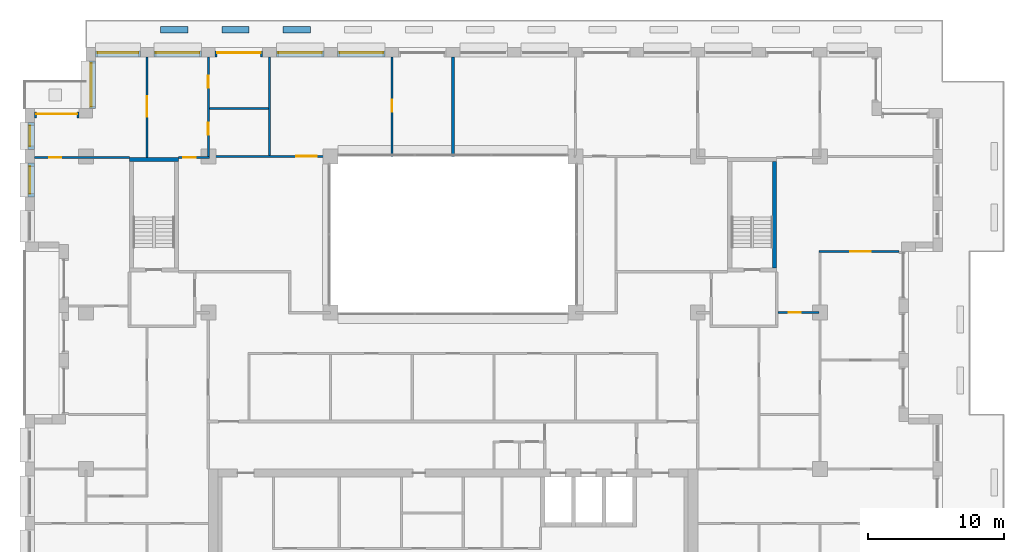
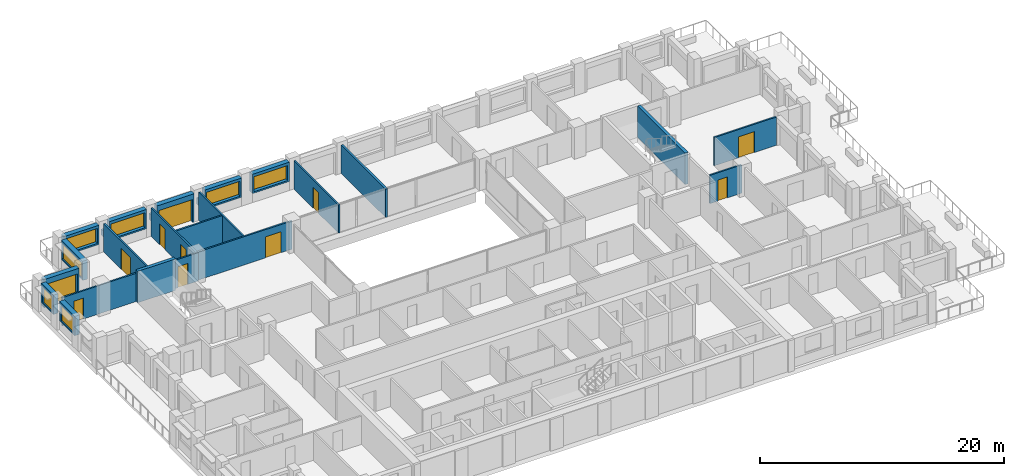
# One storey, part 12 of 17: 25 walls, 11 doors, 7 windows, 18 openings.
"""IFC4 building model written with IfcOpenShell, lengths in metres."""

from ifc_helpers import new_model, si_unit, direction, frame, frame_2d, origin, place, context, subcontext, project, spatial, rectangle, extrude, material, layer, layer_set, type_object, element, fill, save


model = new_model("IFC4")

# Units and contexts
model_context = context("Model", 3, precision=1e-05, world=origin(), true_north=direction((0.0, 1.0)))
body_context = subcontext(model_context, "Body", "Model", "MODEL_VIEW")
ifc_project = project(units=[si_unit("LENGTHUNIT", "METRE"), si_unit("AREAUNIT", "SQUARE_METRE"), si_unit("VOLUMEUNIT", "CUBIC_METRE"), si_unit("PLANEANGLEUNIT", "RADIAN"), si_unit("MASSUNIT", "GRAM", prefix="KILO")], contexts=[model_context])

# Site, building, storey
site_placement = place(None, origin())
site = spatial("IfcSite", under=ifc_project, at=site_placement, CompositionType="ELEMENT")
building_placement = place(site_placement, origin())
building = spatial("IfcBuilding", under=site, at=building_placement, Name="Brigalow Station Residences", CompositionType="ELEMENT")
storey_placement = place(building_placement, frame((0.0, 0.0, 141.300048828125)))
storey = spatial("IfcBuildingStorey", under=building, at=storey_placement, Name="L40", CompositionType="ELEMENT", Elevation=141.300048828125)

# Wall, opening, window
ifc_material_1 = material(Name="Clay brick masonry", Category="masonry")
ifc_layer_1 = layer(ifc_material_1, 0.449951171875)
ifc_layer_set_1 = layer_set([ifc_layer_1], Name="BRICK INFILL WALL 450")
wall_type_1 = type_object("IfcWallType", Name="BRICK INFILL WALL 450", PredefinedType="SOLIDWALL", material=ifc_layer_set_1)
wall_1_placement = place(storey_placement, frame((31.0, 43.02490234375, 0.89990234375), z_axis=(0.0, 0.0, 1.0), x_axis=(-1.0, 0.0, 0.0)))
wall_1 = element("IfcWall", 1, at=wall_1_placement, inside=storey, type_object=wall_type_1, Name="L40/ewall/W-L40-30", PredefinedType="SOLIDWALL", context=body_context, shape_type="SweptSolid", body=[
    extrude(rectangle(XDim=3.5, YDim=0.449951171875, at=frame_2d((1.75, 0.0))), origin(), (0.0, 0.0, 1.0), 1.929931640625),
])
opening_1_placement = place(wall_1_placement, frame((0.14990234375, 0.0, 0.14990234375)))
opening_1 = element("IfcOpeningElement", 2, at=opening_1_placement, cuts=wall_1, Name="Opening WT-9", PredefinedType="OPENING", context=body_context, shape_type="SweptSolid", body=[
    extrude(rectangle(XDim=3.199951171875, YDim=1.5, at=frame_2d((1.60009765625, 0.75))), frame((0.0, 0.23486328125, 0.0), z_axis=(0.0, -1.0, 0.0), x_axis=(1.0, 0.0, 0.0)), (0.0, 0.0, 1.0), 0.469970703125),
])
ifc_material_2 = material(Name="Anodised aluminium frame with double glazing", Category="aluminium")
window_type_1 = type_object("IfcWindowType", Name="WINDOW 3200x1500", PartitioningType="SINGLE_PANEL", PredefinedType="WINDOW", material=ifc_material_2)
window_1_placement = place(opening_1_placement, origin())
window_1 = element("IfcWindow", 3, at=window_1_placement, inside=storey, type_object=window_type_1, Name="L40/window/W-L40-30", OverallHeight=1.5, OverallWidth=3.199951171875, PartitioningType="SINGLE_PANEL", PredefinedType="WINDOW", context=body_context, shape_type="SweptSolid", body=[
    extrude(rectangle(XDim=3.199951171875, YDim=1.5, at=frame_2d((1.60009765625, 0.75))), frame((0.0, -0.06494140625, 0.0), z_axis=(0.0, -1.0, 0.0), x_axis=(1.0, 0.0, 0.0)), (0.0, 0.0, 1.0), 0.06005859375),
])
fill(opening_1, window_1)

wall_2_placement = place(storey_placement, frame((26.5, 43.02490234375, 0.89990234375), z_axis=(0.0, 0.0, 1.0), x_axis=(-1.0, 0.0, 0.0)))
wall_2 = element("IfcWall", 4, at=wall_2_placement, inside=storey, type_object=wall_type_1, Name="L40/ewall/W-L40-31", PredefinedType="SOLIDWALL", context=body_context, shape_type="SweptSolid", body=[
    extrude(rectangle(XDim=3.5, YDim=0.449951171875, at=frame_2d((1.75, 0.0))), origin(), (0.0, 0.0, 1.0), 1.929931640625),
])
opening_2_placement = place(wall_2_placement, frame((0.14990234375, 0.0, 0.14990234375)))
opening_2 = element("IfcOpeningElement", 5, at=opening_2_placement, cuts=wall_2, Name="Opening WT-9", PredefinedType="OPENING", context=body_context, shape_type="SweptSolid", body=[
    extrude(rectangle(XDim=3.199951171875, YDim=1.5, at=frame_2d((1.60009765625, 0.75))), frame((0.0, 0.23486328125, 0.0), z_axis=(0.0, -1.0, 0.0), x_axis=(1.0, 0.0, 0.0)), (0.0, 0.0, 1.0), 0.469970703125),
])
window_2_placement = place(opening_2_placement, origin())
window_2 = element("IfcWindow", 6, at=window_2_placement, inside=storey, type_object=window_type_1, Name="L40/window/W-L40-31", OverallHeight=1.5, OverallWidth=3.199951171875, PartitioningType="SINGLE_PANEL", PredefinedType="WINDOW", context=body_context, shape_type="SweptSolid", body=[
    extrude(rectangle(XDim=3.199951171875, YDim=1.5, at=frame_2d((1.60009765625, 0.75))), frame((0.0, -0.06494140625, 0.0), z_axis=(0.0, -1.0, 0.0), x_axis=(1.0, 0.0, 0.0)), (0.0, 0.0, 1.0), 0.06005859375),
])
fill(opening_2, window_2)

# Wall, opening, door
wall_3_placement = place(storey_placement, frame((22.0, 43.02490234375, 0.0), z_axis=(0.0, 0.0, 1.0), x_axis=(-1.0, 0.0, 0.0)))
wall_3 = element("IfcWall", 7, at=wall_3_placement, inside=storey, type_object=wall_type_1, Name="L40/ewall/W-L40-32", PredefinedType="SOLIDWALL", context=body_context, shape_type="SweptSolid", body=[
    extrude(rectangle(XDim=3.5, YDim=0.449951171875, at=frame_2d((1.75, 0.0))), origin(), (0.0, 0.0, 1.0), 2.829833984375),
])
opening_3_placement = place(wall_3_placement, frame((0.14990234375, 0.0, 0.0)))
opening_3 = element("IfcOpeningElement", 8, at=opening_3_placement, cuts=wall_3, Name="Opening D-B3200", PredefinedType="OPENING", context=body_context, shape_type="SweptSolid", body=[
    extrude(rectangle(XDim=3.199951171875, YDim=2.300048828125, at=frame_2d((1.60009765625, 1.14990234375))), frame((0.0, 0.23486328125, 0.0), z_axis=(0.0, -1.0, 0.0), x_axis=(1.0, 0.0, 0.0)), (0.0, 0.0, 1.0), 0.469970703125),
])
ifc_material_3 = material(Name="Anodised aluminium frame with double glazing", Category="aluminium")
door_type_1 = type_object("IfcDoorType", Name="BALCONY SLIDING DOOR 3200x2300", OperationType="SLIDING_TO_LEFT", PredefinedType="DOOR", material=ifc_material_3)
door_1_placement = place(opening_3_placement, origin())
door_1 = element("IfcDoor", 9, at=door_1_placement, inside=storey, type_object=door_type_1, Name="L40/balcony-door/W-L40-32", OperationType="SLIDING_TO_LEFT", OverallHeight=2.300048828125, OverallWidth=3.199951171875, PredefinedType="DOOR", context=body_context, shape_type="SweptSolid", body=[
    extrude(rectangle(XDim=3.199951171875, YDim=2.300048828125, at=frame_2d((1.60009765625, 1.14990234375))), frame((0.0, -0.06982421875, 0.0), z_axis=(0.0, -1.0, 0.0), x_axis=(1.0, 0.0, 0.0)), (0.0, 0.0, 1.0), 0.050048828125),
])
fill(opening_3, door_1)

# Wall, opening, window
wall_4_placement = place(storey_placement, frame((17.5, 43.02490234375, 0.89990234375), z_axis=(0.0, 0.0, 1.0), x_axis=(-1.0, 0.0, 0.0)))
wall_4 = element("IfcWall", 10, at=wall_4_placement, inside=storey, type_object=wall_type_1, Name="L40/ewall/W-L40-33", PredefinedType="SOLIDWALL", context=body_context, shape_type="SweptSolid", body=[
    extrude(rectangle(XDim=3.5, YDim=0.449951171875, at=frame_2d((1.75, 0.0))), origin(), (0.0, 0.0, 1.0), 1.929931640625),
])
opening_4_placement = place(wall_4_placement, frame((0.14990234375, 0.0, 0.14990234375)))
opening_4 = element("IfcOpeningElement", 11, at=opening_4_placement, cuts=wall_4, Name="Opening WT-9", PredefinedType="OPENING", context=body_context, shape_type="SweptSolid", body=[
    extrude(rectangle(XDim=3.199951171875, YDim=1.5, at=frame_2d((1.60009765625, 0.75))), frame((0.0, 0.23486328125, 0.0), z_axis=(0.0, -1.0, 0.0), x_axis=(1.0, 0.0, 0.0)), (0.0, 0.0, 1.0), 0.469970703125),
])
window_3_placement = place(opening_4_placement, origin())
window_3 = element("IfcWindow", 12, at=window_3_placement, inside=storey, type_object=window_type_1, Name="L40/window/W-L40-33", OverallHeight=1.5, OverallWidth=3.199951171875, PartitioningType="SINGLE_PANEL", PredefinedType="WINDOW", context=body_context, shape_type="SweptSolid", body=[
    extrude(rectangle(XDim=3.199951171875, YDim=1.5, at=frame_2d((1.60009765625, 0.75))), frame((0.0, -0.06494140625, 0.0), z_axis=(0.0, -1.0, 0.0), x_axis=(1.0, 0.0, 0.0)), (0.0, 0.0, 1.0), 0.06005859375),
])
fill(opening_4, window_3)

wall_5_placement = place(storey_placement, frame((13.0, 43.02490234375, 0.89990234375), z_axis=(0.0, 0.0, 1.0), x_axis=(-1.0, 0.0, 0.0)))
wall_5 = element("IfcWall", 13, at=wall_5_placement, inside=storey, type_object=wall_type_1, Name="L40/ewall/W-L40-34", PredefinedType="SOLIDWALL", context=body_context, shape_type="SweptSolid", body=[
    extrude(rectangle(XDim=3.300048828125, YDim=0.449951171875, at=frame_2d((1.64990234375, 0.0))), origin(), (0.0, 0.0, 1.0), 1.929931640625),
])
opening_5_placement = place(wall_5_placement, frame((0.14990234375, 0.0, 0.14990234375)))
opening_5 = element("IfcOpeningElement", 14, at=opening_5_placement, cuts=wall_5, Name="Opening WT-2", PredefinedType="OPENING", context=body_context, shape_type="SweptSolid", body=[
    extrude(rectangle(XDim=3.0, YDim=1.5, at=frame_2d((1.5, 0.75))), frame((0.0, 0.23486328125, 0.0), z_axis=(0.0, -1.0, 0.0), x_axis=(1.0, 0.0, 0.0)), (0.0, 0.0, 1.0), 0.469970703125),
])
ifc_material_4 = material(Name="Anodised aluminium frame with double glazing", Category="aluminium")
window_type_2 = type_object("IfcWindowType", Name="WINDOW 3000x1500", PartitioningType="SINGLE_PANEL", PredefinedType="WINDOW", material=ifc_material_4)
window_4_placement = place(opening_5_placement, origin())
window_4 = element("IfcWindow", 15, at=window_4_placement, inside=storey, type_object=window_type_2, Name="L40/window/W-L40-34", OverallHeight=1.5, OverallWidth=3.0, PartitioningType="SINGLE_PANEL", PredefinedType="WINDOW", context=body_context, shape_type="SweptSolid", body=[
    extrude(rectangle(XDim=3.0, YDim=1.5, at=frame_2d((1.5, 0.75))), frame((0.0, -0.06494140625, 0.0), z_axis=(0.0, -1.0, 0.0), x_axis=(1.0, 0.0, 0.0)), (0.0, 0.0, 1.0), 0.06005859375),
])
fill(opening_5, window_4)

wall_6_placement = place(storey_placement, frame((9.47509765625, 42.5, 0.89990234375), z_axis=(0.0, 0.0, 1.0), x_axis=(0.0, -1.0, 0.0)))
wall_6 = element("IfcWall", 16, at=wall_6_placement, inside=storey, type_object=wall_type_1, Name="L40/ewall/W-L40-35", PredefinedType="SOLIDWALL", context=body_context, shape_type="SweptSolid", body=[
    extrude(rectangle(XDim=3.5, YDim=0.449951171875, at=frame_2d((1.75, 0.0))), origin(), (0.0, 0.0, 1.0), 1.929931640625),
])
opening_6_placement = place(wall_6_placement, frame((0.14990234375, 0.0, 0.14990234375)))
opening_6 = element("IfcOpeningElement", 17, at=opening_6_placement, cuts=wall_6, Name="Opening WT-9", PredefinedType="OPENING", context=body_context, shape_type="SweptSolid", body=[
    extrude(rectangle(XDim=3.199951171875, YDim=1.5, at=frame_2d((1.60009765625, 0.75))), frame((0.0, 0.23486328125, 0.0), z_axis=(0.0, -1.0, 0.0), x_axis=(1.0, 0.0, 0.0)), (0.0, 0.0, 1.0), 0.469970703125),
])
window_5_placement = place(opening_6_placement, origin())
window_5 = element("IfcWindow", 18, at=window_5_placement, inside=storey, type_object=window_type_1, Name="L40/window/W-L40-35", OverallHeight=1.5, OverallWidth=3.199951171875, PartitioningType="SINGLE_PANEL", PredefinedType="WINDOW", context=body_context, shape_type="SweptSolid", body=[
    extrude(rectangle(XDim=3.199951171875, YDim=1.5, at=frame_2d((1.60009765625, 0.75))), frame((0.0, -0.06494140625, 0.0), z_axis=(0.0, -1.0, 0.0), x_axis=(1.0, 0.0, 0.0)), (0.0, 0.0, 1.0), 0.06005859375),
])
fill(opening_6, window_5)

# Wall, opening, door
wall_7_placement = place(storey_placement, frame((8.5, 38.52490234375, 0.0), z_axis=(0.0, 0.0, 1.0), x_axis=(-1.0, 0.0, 0.0)))
wall_7 = element("IfcWall", 19, at=wall_7_placement, inside=storey, type_object=wall_type_1, Name="L40/ewall/W-L40-36", PredefinedType="SOLIDWALL", context=body_context, shape_type="SweptSolid", body=[
    extrude(rectangle(XDim=3.300048828125, YDim=0.449951171875, at=frame_2d((1.64990234375, 0.0))), origin(), (0.0, 0.0, 1.0), 2.829833984375),
])
opening_7_placement = place(wall_7_placement, frame((0.14990234375, 0.0, 0.0)))
opening_7 = element("IfcOpeningElement", 20, at=opening_7_placement, cuts=wall_7, Name="Opening D-B3000", PredefinedType="OPENING", context=body_context, shape_type="SweptSolid", body=[
    extrude(rectangle(XDim=3.0, YDim=2.300048828125, at=frame_2d((1.5, 1.14990234375))), frame((0.0, 0.23486328125, 0.0), z_axis=(0.0, -1.0, 0.0), x_axis=(1.0, 0.0, 0.0)), (0.0, 0.0, 1.0), 0.469970703125),
])
ifc_material_5 = material(Name="Anodised aluminium frame with double glazing", Category="aluminium")
door_type_2 = type_object("IfcDoorType", Name="BALCONY SLIDING DOOR 3000x2300", OperationType="SLIDING_TO_LEFT", PredefinedType="DOOR", material=ifc_material_5)
door_2_placement = place(opening_7_placement, origin())
door_2 = element("IfcDoor", 21, at=door_2_placement, inside=storey, type_object=door_type_2, Name="L40/balcony-door/W-L40-36", OperationType="SLIDING_TO_LEFT", OverallHeight=2.300048828125, OverallWidth=3.0, PredefinedType="DOOR", context=body_context, shape_type="SweptSolid", body=[
    extrude(rectangle(XDim=3.0, YDim=2.300048828125, at=frame_2d((1.5, 1.14990234375))), frame((0.0, -0.06982421875, 0.0), z_axis=(0.0, -1.0, 0.0), x_axis=(1.0, 0.0, 0.0)), (0.0, 0.0, 1.0), 0.050048828125),
])
fill(opening_7, door_2)

# Wall, opening, window
wall_8_placement = place(storey_placement, frame((4.97509765625, 38.0, 0.89990234375), z_axis=(0.0, 0.0, 1.0), x_axis=(0.0, -1.0, 0.0)))
wall_8 = element("IfcWall", 22, at=wall_8_placement, inside=storey, type_object=wall_type_1, Name="L40/ewall/W-L40-37", PredefinedType="SOLIDWALL", context=body_context, shape_type="SweptSolid", body=[
    extrude(rectangle(XDim=2.0, YDim=0.449951171875, at=frame_2d((1.0, 0.0))), origin(), (0.0, 0.0, 1.0), 1.929931640625),
])
opening_8_placement = place(wall_8_placement, frame((0.25, 0.0, 0.14990234375)))
opening_8 = element("IfcOpeningElement", 23, at=opening_8_placement, cuts=wall_8, Name="Opening WT-1", PredefinedType="OPENING", context=body_context, shape_type="SweptSolid", body=[
    extrude(rectangle(XDim=1.5, YDim=1.5, at=frame_2d((0.75, 0.75))), frame((0.0, 0.23486328125, 0.0), z_axis=(0.0, -1.0, 0.0), x_axis=(1.0, 0.0, 0.0)), (0.0, 0.0, 1.0), 0.469970703125),
])
ifc_material_6 = material(Name="Anodised aluminium frame with double glazing", Category="aluminium")
window_type_3 = type_object("IfcWindowType", Name="WINDOW 1500x1500", PartitioningType="SINGLE_PANEL", PredefinedType="WINDOW", material=ifc_material_6)
window_6_placement = place(opening_8_placement, origin())
window_6 = element("IfcWindow", 24, at=window_6_placement, inside=storey, type_object=window_type_3, Name="L40/window/W-L40-37", OverallHeight=1.5, OverallWidth=1.5, PartitioningType="SINGLE_PANEL", PredefinedType="WINDOW", context=body_context, shape_type="SweptSolid", body=[
    extrude(rectangle(XDim=1.5, YDim=1.5, at=frame_2d((0.75, 0.75))), frame((0.0, -0.06494140625, 0.0), z_axis=(0.0, -1.0, 0.0), x_axis=(1.0, 0.0, 0.0)), (0.0, 0.0, 1.0), 0.06005859375),
])
fill(opening_8, window_6)

wall_9_placement = place(storey_placement, frame((4.97509765625, 35.0, 0.89990234375), z_axis=(0.0, 0.0, 1.0), x_axis=(0.0, -1.0, 0.0)))
wall_9 = element("IfcWall", 25, at=wall_9_placement, inside=storey, type_object=wall_type_1, Name="L40/ewall/W-L40-38", PredefinedType="SOLIDWALL", context=body_context, shape_type="SweptSolid", body=[
    extrude(rectangle(XDim=2.5, YDim=0.449951171875, at=frame_2d((1.25, 0.0))), origin(), (0.0, 0.0, 1.0), 1.929931640625),
])
opening_9_placement = place(wall_9_placement, frame((0.25, 0.0, 0.14990234375)))
opening_9 = element("IfcOpeningElement", 26, at=opening_9_placement, cuts=wall_9, Name="Opening WT-7", PredefinedType="OPENING", context=body_context, shape_type="SweptSolid", body=[
    extrude(rectangle(XDim=2.0, YDim=1.5, at=frame_2d((1.0, 0.75))), frame((0.0, 0.23486328125, 0.0), z_axis=(0.0, -1.0, 0.0), x_axis=(1.0, 0.0, 0.0)), (0.0, 0.0, 1.0), 0.469970703125),
])
ifc_material_7 = material(Name="Anodised aluminium frame with double glazing", Category="aluminium")
window_type_4 = type_object("IfcWindowType", Name="WINDOW 2000x1500", PartitioningType="SINGLE_PANEL", PredefinedType="WINDOW", material=ifc_material_7)
window_7_placement = place(opening_9_placement, origin())
window_7 = element("IfcWindow", 27, at=window_7_placement, inside=storey, type_object=window_type_4, Name="L40/window/W-L40-38", OverallHeight=1.5, OverallWidth=2.0, PartitioningType="SINGLE_PANEL", PredefinedType="WINDOW", context=body_context, shape_type="SweptSolid", body=[
    extrude(rectangle(XDim=2.0, YDim=1.5, at=frame_2d((1.0, 0.75))), frame((0.0, -0.06494140625, 0.0), z_axis=(0.0, -1.0, 0.0), x_axis=(1.0, 0.0, 0.0)), (0.0, 0.0, 1.0), 0.06005859375),
])
fill(opening_9, window_7)

# Walls
ifc_material_8 = material(Name="Concrete C65", Category="concrete")
ifc_layer_2 = layer(ifc_material_8, 0.300048828125)
ifc_layer_set_2 = layer_set([ifc_layer_2], Name="CORE SHEAR WALL 300 C65")
wall_type_2 = type_object("IfcWallType", Name="CORE SHEAR WALL 300 C65", PredefinedType="SHEAR", material=ifc_layer_set_2)
wall_10_placement = place(storey_placement, frame((12.199951171875, 35.25, 0.0), z_axis=(0.0, 0.0, 1.0), x_axis=(1.0, 0.0, 0.0)))
element("IfcWall", 28, at=wall_10_placement, inside=storey, type_object=wall_type_2, Name="CORE WALL ST-S1-N L40", PredefinedType="SHEAR", context=body_context, shape_type="SweptSolid", body=[
    extrude(rectangle(XDim=3.60009765625, YDim=0.300048828125, at=frame_2d((1.800048828125, 0.0))), origin(), (0.0, 0.0, 1.0), 3.14990234375),
])
wall_11_placement = place(storey_placement, frame((59.64990234375, 27.300048828125, 0.0), z_axis=(0.0, 0.0, 1.0), x_axis=(0.0, 1.0, 0.0)))
element("IfcWall", 29, at=wall_11_placement, inside=storey, type_object=wall_type_2, Name="CORE WALL ST-S3-E L40", PredefinedType="SHEAR", context=body_context, shape_type="SweptSolid", body=[
    extrude(rectangle(XDim=7.800048828125, YDim=0.300048828125, at=frame_2d((3.89990234375, 0.0))), origin(), (0.0, 0.0, 1.0), 3.14990234375),
])

# Wall, opening, door
ifc_material_9 = material(Name="Plasterboard on steel stud partition", Category="steel")
ifc_layer_3 = layer(ifc_material_9, 0.14990234375)
ifc_layer_set_3 = layer_set([ifc_layer_3], Name="FLAT PARTITION 150")
wall_type_3 = type_object("IfcWallType", Name="FLAT PARTITION 150", PredefinedType="PARTITIONING", material=ifc_layer_set_3)
wall_12_placement = place(storey_placement, frame((59.89990234375, 24.0, 0.0), z_axis=(0.0, 0.0, 1.0), x_axis=(1.0, 0.0, 0.0)))
wall_12 = element("IfcWall", 30, at=wall_12_placement, inside=storey, type_object=wall_type_3, Name="PW-3A01", PredefinedType="PARTITIONING", context=body_context, shape_type="SweptSolid", body=[
    extrude(rectangle(XDim=3.025146484375, YDim=0.14990234375, at=frame_2d((1.5126953125, 0.0))), origin(), (0.0, 0.0, 1.0), 2.829833984375),
])
opening_10_placement = place(wall_12_placement, frame((0.77490234375, 0.0, 0.0)))
opening_10 = element("IfcOpeningElement", 31, at=opening_10_placement, cuts=wall_12, Name="Opening D-3A30", PredefinedType="OPENING", context=body_context, shape_type="SweptSolid", body=[
    extrude(rectangle(XDim=0.89990234375, YDim=2.10009765625, at=frame_2d((0.449951171875, 1.050048828125))), frame((0.0, 0.0849609375, 0.0), z_axis=(0.0, -1.0, 0.0), x_axis=(1.0, 0.0, 0.0)), (0.0, 0.0, 1.0), 0.169921875),
])
ifc_material_10 = material(Name="Solid-core timber door leaf", Category="wood")
door_type_3 = type_object("IfcDoorType", Name="INTERNAL DOOR 900 x 2100", OperationType="SINGLE_SWING_LEFT", PredefinedType="DOOR", material=ifc_material_10)
door_3_placement = place(opening_10_placement, frame((0.89990234375, 0.0, 0.0), z_axis=(0.0, 0.0, 1.0), x_axis=(-1.0, 0.0, 0.0)))
door_3 = element("IfcDoor", 32, at=door_3_placement, inside=storey, type_object=door_type_3, Name="D-3A30", OperationType="SINGLE_SWING_RIGHT", OverallHeight=2.10009765625, OverallWidth=0.89990234375, PredefinedType="DOOR", context=body_context, shape_type="SweptSolid", body=[
    extrude(rectangle(XDim=0.89990234375, YDim=2.10009765625, at=frame_2d((0.449951171875, 1.050048828125))), frame((0.0, 0.02490234375, 0.0), z_axis=(0.0, -1.0, 0.0), x_axis=(1.0, 0.0, 0.0)), (0.0, 0.0, 1.0), 0.050048828125),
])
fill(opening_10, door_3)

wall_13_placement = place(storey_placement, frame((5.199951171875, 35.39990234375, 0.0), z_axis=(0.0, 0.0, 1.0), x_axis=(1.0, 0.0, 0.0)))
wall_13 = element("IfcWall", 33, at=wall_13_placement, inside=storey, type_object=wall_type_3, Name="PW-3A17", PredefinedType="PARTITIONING", context=body_context, shape_type="SweptSolid", body=[
    extrude(rectangle(XDim=7.0, YDim=0.14990234375, at=frame_2d((3.5, 0.0))), origin(), (0.0, 0.0, 1.0), 2.829833984375),
])
opening_11_placement = place(wall_13_placement, frame((1.10009765625, 0.0, 0.0)))
opening_11 = element("IfcOpeningElement", 34, at=opening_11_placement, cuts=wall_13, Name="Opening D-3A10", PredefinedType="OPENING", context=body_context, shape_type="SweptSolid", body=[
    extrude(rectangle(XDim=0.89990234375, YDim=2.10009765625, at=frame_2d((0.449951171875, 1.050048828125))), frame((0.0, 0.0849609375, 0.0), z_axis=(0.0, -1.0, 0.0), x_axis=(1.0, 0.0, 0.0)), (0.0, 0.0, 1.0), 0.169921875),
])
door_4_placement = place(opening_11_placement, origin())
door_4 = element("IfcDoor", 35, at=door_4_placement, inside=storey, type_object=door_type_3, Name="D-3A10", OperationType="SINGLE_SWING_LEFT", OverallHeight=2.10009765625, OverallWidth=0.89990234375, PredefinedType="DOOR", context=body_context, shape_type="SweptSolid", body=[
    extrude(rectangle(XDim=0.89990234375, YDim=2.10009765625, at=frame_2d((0.449951171875, 1.050048828125))), frame((0.0, 0.02490234375, 0.0), z_axis=(0.0, -1.0, 0.0), x_axis=(1.0, 0.0, 0.0)), (0.0, 0.0, 1.0), 0.050048828125),
])
fill(opening_11, door_4)

wall_14_placement = place(storey_placement, frame((15.800048828125, 35.39990234375, 0.0), z_axis=(0.0, 0.0, 1.0), x_axis=(1.0, 0.0, 0.0)))
wall_14 = element("IfcWall", 36, at=wall_14_placement, inside=storey, type_object=wall_type_3, Name="PW-3A18", PredefinedType="PARTITIONING", context=body_context, shape_type="SweptSolid", body=[
    extrude(rectangle(XDim=2.27490234375, YDim=0.14990234375, at=frame_2d((1.137451171875, 0.0))), origin(), (0.0, 0.0, 1.0), 2.829833984375),
])
opening_12_placement = place(wall_14_placement, frame((0.375, 0.0, 0.0)))
opening_12 = element("IfcOpeningElement", 37, at=opening_12_placement, cuts=wall_14, Name="Opening D-3A14", PredefinedType="OPENING", context=body_context, shape_type="SweptSolid", body=[
    extrude(rectangle(XDim=0.89990234375, YDim=2.10009765625, at=frame_2d((0.449951171875, 1.050048828125))), frame((0.0, 0.0849609375, 0.0), z_axis=(0.0, -1.0, 0.0), x_axis=(1.0, 0.0, 0.0)), (0.0, 0.0, 1.0), 0.169921875),
])
door_5_placement = place(opening_12_placement, origin())
door_5 = element("IfcDoor", 38, at=door_5_placement, inside=storey, type_object=door_type_3, Name="D-3A14", OperationType="SINGLE_SWING_RIGHT", OverallHeight=2.10009765625, OverallWidth=0.89990234375, PredefinedType="DOOR", context=body_context, shape_type="SweptSolid", body=[
    extrude(rectangle(XDim=0.89990234375, YDim=2.10009765625, at=frame_2d((0.449951171875, 1.050048828125))), frame((0.0, 0.02490234375, 0.0), z_axis=(0.0, -1.0, 0.0), x_axis=(1.0, 0.0, 0.0)), (0.0, 0.0, 1.0), 0.050048828125),
])
fill(opening_12, door_5)

# Wall
wall_15_placement = place(storey_placement, frame((18.074951171875, 39.0, 0.0), z_axis=(0.0, 0.0, 1.0), x_axis=(1.0, 0.0, 0.0)))
element("IfcWall", 39, at=wall_15_placement, inside=storey, type_object=wall_type_3, Name="PW-3A21", PredefinedType="PARTITIONING", context=body_context, shape_type="SweptSolid", body=[
    extrude(rectangle(XDim=4.35009765625, YDim=0.14990234375, at=frame_2d((2.175048828125, 0.0))), origin(), (0.0, 0.0, 1.0), 2.829833984375),
])

# Wall, opening, door
wall_16_placement = place(storey_placement, frame((18.074951171875, 35.5, 0.0), z_axis=(0.0, 0.0, 1.0), x_axis=(1.0, 0.0, 0.0)))
wall_16 = element("IfcWall", 40, at=wall_16_placement, inside=storey, type_object=wall_type_3, Name="PW-3A22", PredefinedType="PARTITIONING", context=body_context, shape_type="SweptSolid", body=[
    extrude(rectangle(XDim=8.925048828125, YDim=0.14990234375, at=frame_2d((4.46240234375, 0.0))), origin(), (0.0, 0.0, 1.0), 2.829833984375),
])
opening_13_placement = place(wall_16_placement, frame((6.39990234375, 0.0, 0.0)))
opening_13 = element("IfcOpeningElement", 41, at=opening_13_placement, cuts=wall_16, Name="Opening D-3A15", PredefinedType="OPENING", context=body_context, shape_type="SweptSolid", body=[
    extrude(rectangle(XDim=1.5, YDim=2.10009765625, at=frame_2d((0.75, 1.050048828125))), frame((0.0, 0.0849609375, 0.0), z_axis=(0.0, -1.0, 0.0), x_axis=(1.0, 0.0, 0.0)), (0.0, 0.0, 1.0), 0.169921875),
])
ifc_material_11 = material(Name="Solid-core timber door leaf", Category="wood")
door_type_4 = type_object("IfcDoorType", Name="INTERNAL DOUBLE DOOR 1500 x 2100", OperationType="DOUBLE_DOOR_SINGLE_SWING", PredefinedType="DOOR", material=ifc_material_11)
door_6_placement = place(opening_13_placement, origin())
door_6 = element("IfcDoor", 42, at=door_6_placement, inside=storey, type_object=door_type_4, Name="D-3A15", OperationType="DOUBLE_DOOR_SINGLE_SWING", OverallHeight=2.10009765625, OverallWidth=1.5, PredefinedType="DOOR", context=body_context, shape_type="SweptSolid", body=[
    extrude(rectangle(XDim=1.5, YDim=2.10009765625, at=frame_2d((0.75, 1.050048828125))), frame((0.0, 0.02490234375, 0.0), z_axis=(0.0, -1.0, 0.0), x_axis=(1.0, 0.0, 0.0)), (0.0, 0.0, 1.0), 0.050048828125),
])
fill(opening_13, door_6)

wall_17_placement = place(storey_placement, frame((62.925048828125, 28.5, 0.0), z_axis=(0.0, 0.0, 1.0), x_axis=(1.0, 0.0, 0.0)))
wall_17 = element("IfcWall", 43, at=wall_17_placement, inside=storey, type_object=wall_type_3, Name="PW-3A27", PredefinedType="PARTITIONING", context=body_context, shape_type="SweptSolid", body=[
    extrude(rectangle(XDim=5.875, YDim=0.14990234375, at=frame_2d((2.9375, 0.0))), origin(), (0.0, 0.0, 1.0), 2.829833984375),
])
opening_14_placement = place(wall_17_placement, frame((2.300048828125, 0.0, 0.0)))
opening_14 = element("IfcOpeningElement", 44, at=opening_14_placement, cuts=wall_17, Name="Opening D-3A29", PredefinedType="OPENING", context=body_context, shape_type="SweptSolid", body=[
    extrude(rectangle(XDim=1.5, YDim=2.10009765625, at=frame_2d((0.75, 1.050048828125))), frame((0.0, 0.0849609375, 0.0), z_axis=(0.0, -1.0, 0.0), x_axis=(1.0, 0.0, 0.0)), (0.0, 0.0, 1.0), 0.169921875),
])
door_7_placement = place(opening_14_placement, frame((1.5, 0.0, 0.0), z_axis=(0.0, 0.0, 1.0), x_axis=(-1.0, 0.0, 0.0)))
door_7 = element("IfcDoor", 45, at=door_7_placement, inside=storey, type_object=door_type_4, Name="D-3A29", OperationType="DOUBLE_DOOR_SINGLE_SWING", OverallHeight=2.10009765625, OverallWidth=1.5, PredefinedType="DOOR", context=body_context, shape_type="SweptSolid", body=[
    extrude(rectangle(XDim=1.5, YDim=2.10009765625, at=frame_2d((0.75, 1.050048828125))), frame((0.0, 0.02490234375, 0.0), z_axis=(0.0, -1.0, 0.0), x_axis=(1.0, 0.0, 0.0)), (0.0, 0.0, 1.0), 0.050048828125),
])
fill(opening_14, door_7)

# Wall, openings, doors
wall_18_placement = place(storey_placement, frame((18.0, 35.47509765625, 0.0), z_axis=(0.0, 0.0, 1.0), x_axis=(0.0, 1.0, 0.0)))
wall_18 = element("IfcWall", 46, at=wall_18_placement, inside=storey, type_object=wall_type_3, Name="PW-3A29", PredefinedType="PARTITIONING", context=body_context, shape_type="SweptSolid", body=[
    extrude(rectangle(XDim=7.324951171875, YDim=0.14990234375, at=frame_2d((3.66259765625, 0.0))), origin(), (0.0, 0.0, 1.0), 2.829833984375),
])
opening_15_placement = place(wall_18_placement, frame((5.050048828125, 0.0, 0.0)))
opening_15 = element("IfcOpeningElement", 47, at=opening_15_placement, cuts=wall_18, Name="Opening D-3A12", PredefinedType="OPENING", context=body_context, shape_type="SweptSolid", body=[
    extrude(rectangle(XDim=0.89990234375, YDim=2.10009765625, at=frame_2d((0.449951171875, 1.050048828125))), frame((0.0, 0.0849609375, 0.0), z_axis=(0.0, -1.0, 0.0), x_axis=(1.0, 0.0, 0.0)), (0.0, 0.0, 1.0), 0.169921875),
])
opening_16_placement = place(wall_18_placement, frame((1.60009765625, 0.0, 0.0)))
opening_16 = element("IfcOpeningElement", 48, at=opening_16_placement, cuts=wall_18, Name="Opening D-3A13", PredefinedType="OPENING", context=body_context, shape_type="SweptSolid", body=[
    extrude(rectangle(XDim=0.89990234375, YDim=2.10009765625, at=frame_2d((0.449951171875, 1.050048828125))), frame((0.0, 0.0849609375, 0.0), z_axis=(0.0, -1.0, 0.0), x_axis=(1.0, 0.0, 0.0)), (0.0, 0.0, 1.0), 0.169921875),
])
door_8_placement = place(opening_15_placement, frame((0.89990234375, 0.0, 0.0), z_axis=(0.0, 0.0, 1.0), x_axis=(-1.0, 0.0, 0.0)))
door_8 = element("IfcDoor", 49, at=door_8_placement, inside=storey, type_object=door_type_3, Name="D-3A12", OperationType="SINGLE_SWING_LEFT", OverallHeight=2.10009765625, OverallWidth=0.89990234375, PredefinedType="DOOR", context=body_context, shape_type="SweptSolid", body=[
    extrude(rectangle(XDim=0.89990234375, YDim=2.10009765625, at=frame_2d((0.449951171875, 1.050048828125))), frame((0.0, 0.02490234375, 0.0), z_axis=(0.0, -1.0, 0.0), x_axis=(1.0, 0.0, 0.0)), (0.0, 0.0, 1.0), 0.050048828125),
])
fill(opening_15, door_8)
door_9_placement = place(opening_16_placement, frame((0.89990234375, 0.0, 0.0), z_axis=(0.0, 0.0, 1.0), x_axis=(-1.0, 0.0, 0.0)))
door_9 = element("IfcDoor", 50, at=door_9_placement, inside=storey, type_object=door_type_3, Name="D-3A13", OperationType="SINGLE_SWING_LEFT", OverallHeight=2.10009765625, OverallWidth=0.89990234375, PredefinedType="DOOR", context=body_context, shape_type="SweptSolid", body=[
    extrude(rectangle(XDim=0.89990234375, YDim=2.10009765625, at=frame_2d((0.449951171875, 1.050048828125))), frame((0.0, 0.02490234375, 0.0), z_axis=(0.0, -1.0, 0.0), x_axis=(1.0, 0.0, 0.0)), (0.0, 0.0, 1.0), 0.050048828125),
])
fill(opening_16, door_9)

# Wall, opening, door
wall_19_placement = place(storey_placement, frame((13.5, 35.39990234375, 0.0), z_axis=(0.0, 0.0, 1.0), x_axis=(0.0, 1.0, 0.0)))
wall_19 = element("IfcWall", 51, at=wall_19_placement, inside=storey, type_object=wall_type_3, Name="PW-3A40", PredefinedType="PARTITIONING", context=body_context, shape_type="SweptSolid", body=[
    extrude(rectangle(XDim=7.400146484375, YDim=0.14990234375, at=frame_2d((3.7001953125, 0.0))), origin(), (0.0, 0.0, 1.0), 2.829833984375),
])
opening_17_placement = place(wall_19_placement, frame((3.02490234375, 0.0, 0.0)))
opening_17 = element("IfcOpeningElement", 52, at=opening_17_placement, cuts=wall_19, Name="Opening D-3A11", PredefinedType="OPENING", context=body_context, shape_type="SweptSolid", body=[
    extrude(rectangle(XDim=1.5, YDim=2.10009765625, at=frame_2d((0.75, 1.050048828125))), frame((0.0, 0.0849609375, 0.0), z_axis=(0.0, -1.0, 0.0), x_axis=(1.0, 0.0, 0.0)), (0.0, 0.0, 1.0), 0.169921875),
])
door_10_placement = place(opening_17_placement, frame((1.5, 0.0, 0.0), z_axis=(0.0, 0.0, 1.0), x_axis=(-1.0, 0.0, 0.0)))
door_10 = element("IfcDoor", 53, at=door_10_placement, inside=storey, type_object=door_type_4, Name="D-3A11", OperationType="DOUBLE_DOOR_SINGLE_SWING", OverallHeight=2.10009765625, OverallWidth=1.5, PredefinedType="DOOR", context=body_context, shape_type="SweptSolid", body=[
    extrude(rectangle(XDim=1.5, YDim=2.10009765625, at=frame_2d((0.75, 1.050048828125))), frame((0.0, 0.02490234375, 0.0), z_axis=(0.0, -1.0, 0.0), x_axis=(1.0, 0.0, 0.0)), (0.0, 0.0, 1.0), 0.050048828125),
])
fill(opening_17, door_10)

# Wall
wall_20_placement = place(storey_placement, frame((22.5, 35.574951171875, 0.0), z_axis=(0.0, 0.0, 1.0), x_axis=(0.0, 1.0, 0.0)))
element("IfcWall", 54, at=wall_20_placement, inside=storey, type_object=wall_type_3, Name="PW-3A42", PredefinedType="PARTITIONING", context=body_context, shape_type="SweptSolid", body=[
    extrude(rectangle(XDim=7.22509765625, YDim=0.14990234375, at=frame_2d((3.612548828125, 0.0))), origin(), (0.0, 0.0, 1.0), 2.829833984375),
])

# Wall, opening, door
wall_21_placement = place(storey_placement, frame((31.5, 35.5, 0.0), z_axis=(0.0, 0.0, 1.0), x_axis=(0.0, 1.0, 0.0)))
wall_21 = element("IfcWall", 55, at=wall_21_placement, inside=storey, type_object=wall_type_3, Name="PW-3A43", PredefinedType="PARTITIONING", context=body_context, shape_type="SweptSolid", body=[
    extrude(rectangle(XDim=7.300048828125, YDim=0.14990234375, at=frame_2d((3.64990234375, 0.0))), origin(), (0.0, 0.0, 1.0), 2.829833984375),
])
opening_18_placement = place(wall_21_placement, frame((3.27490234375, 0.0, 0.0)))
opening_18 = element("IfcOpeningElement", 56, at=opening_18_placement, cuts=wall_21, Name="Opening D-3A16", PredefinedType="OPENING", context=body_context, shape_type="SweptSolid", body=[
    extrude(rectangle(XDim=0.89990234375, YDim=2.10009765625, at=frame_2d((0.449951171875, 1.050048828125))), frame((0.0, 0.0849609375, 0.0), z_axis=(0.0, -1.0, 0.0), x_axis=(1.0, 0.0, 0.0)), (0.0, 0.0, 1.0), 0.169921875),
])
door_11_placement = place(opening_18_placement, frame((0.89990234375, 0.0, 0.0), z_axis=(0.0, 0.0, 1.0), x_axis=(-1.0, 0.0, 0.0)))
door_11 = element("IfcDoor", 57, at=door_11_placement, inside=storey, type_object=door_type_3, Name="D-3A16", OperationType="SINGLE_SWING_LEFT", OverallHeight=2.10009765625, OverallWidth=0.89990234375, PredefinedType="DOOR", context=body_context, shape_type="SweptSolid", body=[
    extrude(rectangle(XDim=0.89990234375, YDim=2.10009765625, at=frame_2d((0.449951171875, 1.050048828125))), frame((0.0, 0.02490234375, 0.0), z_axis=(0.0, -1.0, 0.0), x_axis=(1.0, 0.0, 0.0)), (0.0, 0.0, 1.0), 0.050048828125),
])
fill(opening_18, door_11)

# Walls
ifc_material_12 = material(Name="Plasterboard on steel stud partition", Category="steel")
ifc_layer_4 = layer(ifc_material_12, 0.199951171875)
ifc_layer_set_4 = layer_set([ifc_layer_4], Name="PARTY AND CORRIDOR WALL 200")
wall_type_4 = type_object("IfcWallType", Name="PARTY AND CORRIDOR WALL 200", PredefinedType="PARTITIONING", material=ifc_layer_set_4)
wall_22_placement = place(storey_placement, frame((36.0, 35.5, 0.0), z_axis=(0.0, 0.0, 1.0), x_axis=(0.0, 1.0, 0.0)))
element("IfcWall", 58, at=wall_22_placement, inside=storey, type_object=wall_type_4, Name="PW-3A44", PredefinedType="PARTITIONING", context=body_context, shape_type="SweptSolid", body=[
    extrude(rectangle(XDim=7.300048828125, YDim=0.199951171875, at=frame_2d((3.64990234375, 0.0))), origin(), (0.0, 0.0, 1.0), 2.829833984375),
])
ifc_material_13 = material(Name="Concrete C50 precast", Category="concrete")
ifc_layer_5 = layer(ifc_material_13, 0.5)
ifc_layer_set_5 = layer_set([ifc_layer_5], Name="PLANTER 500x600")
wall_type_5 = type_object("IfcWallType", Name="PLANTER 500x600", PredefinedType="USERDEFINED", material=ifc_layer_set_5)
for number, where, z_axis, x_axis, name in (
    (59, (25.5, 44.800048828125, -0.0400390625), (0.0, 0.0, 1.0), (-1.0, 0.0, 0.0), "L40/planter/2-17"),
    (60, (21.0, 44.800048828125, -0.0400390625), (0.0, 0.0, 1.0), (-1.0, 0.0, 0.0), "L40/planter/2-18"),
    (61, (16.5, 44.800048828125, -0.0400390625), (0.0, 0.0, 1.0), (-1.0, 0.0, 0.0), "L40/planter/2-19"),
):
    element("IfcWall", number, at=place(storey_placement, frame(where, z_axis=z_axis, x_axis=x_axis)), inside=storey, type_object=wall_type_5, Name=name, ObjectType="PLANTER", PredefinedType="USERDEFINED", context=body_context, shape_type="SweptSolid", body=[
        extrude(rectangle(XDim=2.0, YDim=0.5, at=frame_2d((1.0, 0.0))), origin(), (0.0, 0.0, 1.0), 0.60009765625),
    ])

save(model, "model.ifc")
